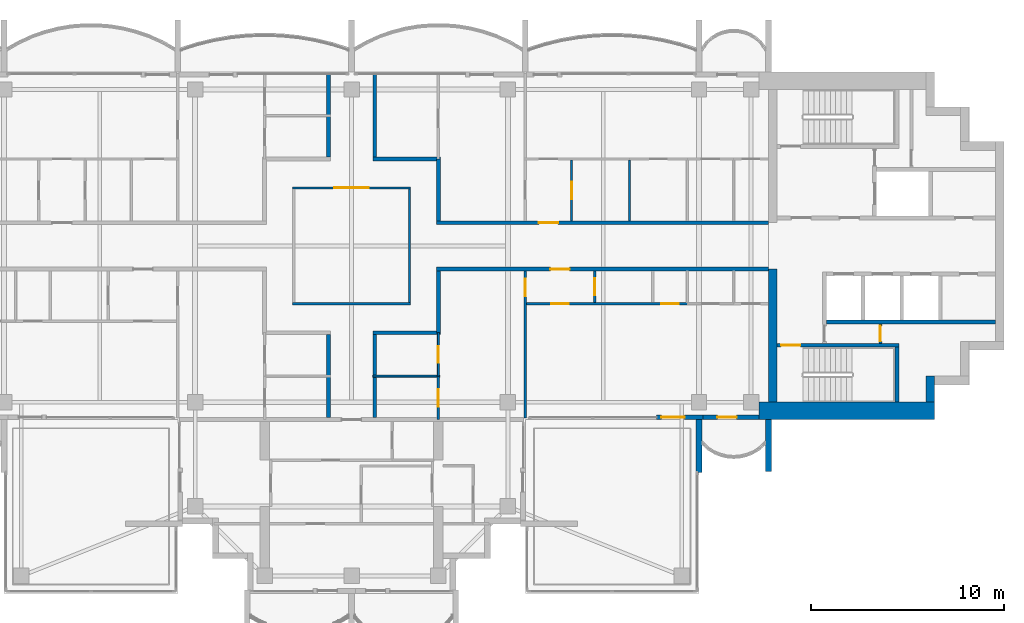
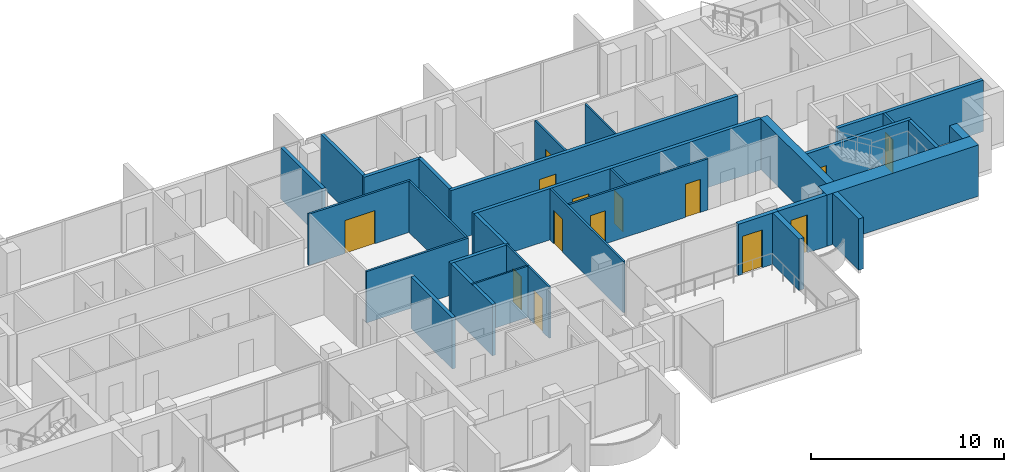
# One storey, part 10 of 16: 32 walls, 14 doors, 14 openings.
"""IFC4 building model written with IfcOpenShell, lengths in metres."""

from ifc_helpers import new_model, si_unit, direction, frame, frame_2d, origin, place, context, subcontext, project, spatial, rectangle, extrude, material, layer, layer_set, type_object, element, fill, save


model = new_model("IFC4")

# Units and contexts
model_context = context("Model", 3, precision=1e-05, world=origin(), true_north=direction((0.0, 1.0)))
body_context = subcontext(model_context, "Body", "Model", "MODEL_VIEW")
ifc_project = project(units=[si_unit("LENGTHUNIT", "METRE"), si_unit("AREAUNIT", "SQUARE_METRE"), si_unit("VOLUMEUNIT", "CUBIC_METRE"), si_unit("PLANEANGLEUNIT", "RADIAN"), si_unit("MASSUNIT", "GRAM", prefix="KILO")], contexts=[model_context])

# Site, building, storey
site_placement = place(None, origin())
site = spatial("IfcSite", under=ifc_project, at=site_placement, CompositionType="ELEMENT")
building_placement = place(site_placement, origin())
building = spatial("IfcBuilding", under=site, at=building_placement, Name="Perihelion Cross Residences", CompositionType="ELEMENT")
storey_placement = place(building_placement, frame((0.0, 0.0, 236.0)))
storey = spatial("IfcBuildingStorey", under=building, at=storey_placement, Name="L59", CompositionType="ELEMENT", Elevation=236.0)

# Wall, opening, door
ifc_material_1 = material(Name="Plasterboard partition")
ifc_layer_1 = layer(ifc_material_1, 0.199951171875)
ifc_layer_set_1 = layer_set([ifc_layer_1], Name="Apartment separation wall 200")
wall_type_1 = type_object("IfcWallType", Name="Apartment separation wall 200", PredefinedType="PARTITIONING", material=ifc_layer_set_1)
wall_1_placement = place(storey_placement, frame((4.39990234375, 1.199951171875, 0.0), z_axis=(0.0, 0.0, 1.0), x_axis=(1.0, 0.0, 0.0)))
wall_1 = element("IfcWall", 1, at=wall_1_placement, inside=storey, type_object=wall_type_1, Name="Partition L59 W005", PredefinedType="PARTITIONING", context=body_context, shape_type="SweptSolid", body=[
    extrude(rectangle(XDim=17.2001953125, YDim=0.199951171875, at=frame_2d((8.60009765625, 0.0))), origin(), (0.0, 0.0, 1.0), 3.25),
])
opening_1_placement = place(wall_1_placement, frame((5.300048828125, 0.0, 0.0)))
opening_1 = element("IfcOpeningElement", 2, at=opening_1_placement, cuts=wall_1, Name="Opening L59.A39", PredefinedType="OPENING", context=body_context, shape_type="SweptSolid", body=[
    extrude(rectangle(XDim=1.0, YDim=2.10009765625, at=frame_2d((0.5, 1.050048828125))), frame((0.0, 0.10986328125, 0.0), z_axis=(0.0, -1.0, 0.0), x_axis=(1.0, 0.0, 0.0)), (0.0, 0.0, 1.0), 0.219970703125),
])
ifc_material_2 = material(Name="Timber door leaf", Category="wood")
door_type_1 = type_object("IfcDoorType", Name="Flat entrance door 1000 x 2100", OperationType="SINGLE_SWING_LEFT", PredefinedType="DOOR", material=ifc_material_2)
door_1_placement = place(opening_1_placement, origin())
door_1 = element("IfcDoor", 3, at=door_1_placement, inside=storey, type_object=door_type_1, Name="Door L59.A39", OperationType="SINGLE_SWING_RIGHT", OverallHeight=2.10009765625, OverallWidth=1.0, PredefinedType="DOOR", context=body_context, shape_type="SweptSolid", body=[
    extrude(rectangle(XDim=1.0, YDim=2.10009765625, at=frame_2d((0.5, 1.050048828125))), frame((0.0, 0.02490234375, 0.0), z_axis=(0.0, -1.0, 0.0), x_axis=(1.0, 0.0, 0.0)), (0.0, 0.0, 1.0), 0.050048828125),
])
fill(opening_1, door_1)

# Walls
wall_2_placement = place(storey_placement, frame((4.5, 4.5, 0.0), z_axis=(0.0, 0.0, 1.0), x_axis=(0.0, -1.0, 0.0)))
element("IfcWall", 4, at=wall_2_placement, inside=storey, type_object=wall_type_1, Name="Partition L59 W006", PredefinedType="PARTITIONING", context=body_context, shape_type="SweptSolid", body=[
    extrude(rectangle(XDim=3.199951171875, YDim=0.199951171875, at=frame_2d((1.60009765625, 0.0))), origin(), (0.0, 0.0, 1.0), 3.25),
])
wall_3_placement = place(storey_placement, frame((1.199951171875, 8.919921875, 0.0), z_axis=(0.0, 0.0, 1.0), x_axis=(0.0, -1.0, 0.0)))
element("IfcWall", 5, at=wall_3_placement, inside=storey, type_object=wall_type_1, Name="Partition L59 W007", PredefinedType="PARTITIONING", context=body_context, shape_type="SweptSolid", body=[
    extrude(rectangle(XDim=4.31982421875, YDim=0.199951171875, at=frame_2d((2.159912109375, 0.0))), origin(), (0.0, 0.0, 1.0), 3.25),
])
wall_4_placement = place(storey_placement, frame((1.10009765625, 4.5, 0.0), z_axis=(0.0, 0.0, 1.0), x_axis=(1.0, 0.0, 0.0)))
element("IfcWall", 6, at=wall_4_placement, inside=storey, type_object=wall_type_1, Name="Partition L59 W008", PredefinedType="PARTITIONING", context=body_context, shape_type="SweptSolid", body=[
    extrude(rectangle(XDim=3.5, YDim=0.199951171875, at=frame_2d((1.75, 0.0))), origin(), (0.0, 0.0, 1.0), 3.25),
])

# Wall, opening, door
wall_5_placement = place(storey_placement, frame((21.60009765625, -1.199951171875, 0.0), z_axis=(0.0, 0.0, 1.0), x_axis=(-1.0, 0.0, 0.0)))
wall_5 = element("IfcWall", 7, at=wall_5_placement, inside=storey, type_object=wall_type_1, Name="Partition L59 W009", PredefinedType="PARTITIONING", context=body_context, shape_type="SweptSolid", body=[
    extrude(rectangle(XDim=17.2001953125, YDim=0.199951171875, at=frame_2d((8.60009765625, 0.0))), origin(), (0.0, 0.0, 1.0), 3.25),
])
opening_2_placement = place(wall_5_placement, frame((10.300048828125, 0.0, 0.0)))
opening_2 = element("IfcOpeningElement", 8, at=opening_2_placement, cuts=wall_5, Name="Opening L59.A40", PredefinedType="OPENING", context=body_context, shape_type="SweptSolid", body=[
    extrude(rectangle(XDim=1.0, YDim=2.10009765625, at=frame_2d((0.5, 1.050048828125))), frame((0.0, 0.10986328125, 0.0), z_axis=(0.0, -1.0, 0.0), x_axis=(1.0, 0.0, 0.0)), (0.0, 0.0, 1.0), 0.219970703125),
])
door_2_placement = place(opening_2_placement, origin())
door_2 = element("IfcDoor", 9, at=door_2_placement, inside=storey, type_object=door_type_1, Name="Door L59.A40", OperationType="SINGLE_SWING_RIGHT", OverallHeight=2.10009765625, OverallWidth=1.0, PredefinedType="DOOR", context=body_context, shape_type="SweptSolid", body=[
    extrude(rectangle(XDim=1.0, YDim=2.10009765625, at=frame_2d((0.5, 1.050048828125))), frame((0.0, 0.02490234375, 0.0), z_axis=(0.0, -1.0, 0.0), x_axis=(1.0, 0.0, 0.0)), (0.0, 0.0, 1.0), 0.050048828125),
])
fill(opening_2, door_2)

# Walls
wall_6_placement = place(storey_placement, frame((4.5, -1.300048828125, 0.0), z_axis=(0.0, 0.0, 1.0), x_axis=(0.0, -1.0, 0.0)))
element("IfcWall", 10, at=wall_6_placement, inside=storey, type_object=wall_type_1, Name="Partition L59 W010", PredefinedType="PARTITIONING", context=body_context, shape_type="SweptSolid", body=[
    extrude(rectangle(XDim=3.199951171875, YDim=0.199951171875, at=frame_2d((1.60009765625, 0.0))), origin(), (0.0, 0.0, 1.0), 3.25),
])
wall_7_placement = place(storey_placement, frame((4.60009765625, -4.5, 0.0), z_axis=(0.0, 0.0, 1.0), x_axis=(-1.0, 0.0, 0.0)))
element("IfcWall", 11, at=wall_7_placement, inside=storey, type_object=wall_type_1, Name="Partition L59 W011", PredefinedType="PARTITIONING", context=body_context, shape_type="SweptSolid", body=[
    extrude(rectangle(XDim=3.5, YDim=0.199951171875, at=frame_2d((1.75, 0.0))), origin(), (0.0, 0.0, 1.0), 3.25),
])
wall_8_placement = place(storey_placement, frame((1.199951171875, -4.60009765625, 0.0), z_axis=(0.0, 0.0, 1.0), x_axis=(0.0, -1.0, 0.0)))
element("IfcWall", 12, at=wall_8_placement, inside=storey, type_object=wall_type_1, Name="Partition L59 W012", PredefinedType="PARTITIONING", context=body_context, shape_type="SweptSolid", body=[
    extrude(rectangle(XDim=4.2998046875, YDim=0.199951171875, at=frame_2d((2.14990234375, 0.0))), origin(), (0.0, 0.0, 1.0), 3.25),
])
wall_9_placement = place(storey_placement, frame((-1.199951171875, 4.60009765625, 0.0), z_axis=(0.0, 0.0, 1.0), x_axis=(0.0, 1.0, 0.0)))
element("IfcWall", 13, at=wall_9_placement, inside=storey, type_object=wall_type_1, Name="Partition L59 W016", PredefinedType="PARTITIONING", context=body_context, shape_type="SweptSolid", body=[
    extrude(rectangle(XDim=4.31982421875, YDim=0.199951171875, at=frame_2d((2.159912109375, 0.0))), origin(), (0.0, 0.0, 1.0), 3.25),
])
wall_10_placement = place(storey_placement, frame((-1.199951171875, -8.89990234375, 0.0), z_axis=(0.0, 0.0, 1.0), x_axis=(0.0, 1.0, 0.0)))
element("IfcWall", 14, at=wall_10_placement, inside=storey, type_object=wall_type_1, Name="Partition L59 W019", PredefinedType="PARTITIONING", context=body_context, shape_type="SweptSolid", body=[
    extrude(rectangle(XDim=4.2998046875, YDim=0.199951171875, at=frame_2d((2.14990234375, 0.0))), origin(), (0.0, 0.0, 1.0), 3.25),
])

# Wall, opening, door
ifc_material_3 = material(Name="Concrete C30/37, bronze-clad", Category="concrete")
ifc_layer_2 = layer(ifc_material_3, 0.25)
ifc_layer_set_2 = layer_set([ifc_layer_2], Name="Bronze-clad pier wall 250")
wall_type_2 = type_object("IfcWallType", Name="Bronze-clad pier wall 250", PredefinedType="SOLIDWALL", material=ifc_layer_set_2)
wall_11_placement = place(storey_placement, frame((15.800048828125, -8.875, 0.0), z_axis=(0.0, 0.0, 1.0), x_axis=(1.0, 0.0, 0.0)))
wall_11 = element("IfcWall", 15, at=wall_11_placement, inside=storey, type_object=wall_type_2, Name="Wall FW1 L59 east side south bay 1 pier", PredefinedType="SOLIDWALL", context=body_context, shape_type="SweptSolid", body=[
    extrude(rectangle(XDim=2.39990234375, YDim=0.25, at=frame_2d((1.199951171875, 0.0))), origin(), (0.0, 0.0, 1.0), 3.25),
])
opening_3_placement = place(wall_11_placement, frame((0.25, 0.0, 0.0)))
opening_3 = element("IfcOpeningElement", 16, at=opening_3_placement, cuts=wall_11, Name="Opening L59.E13", PredefinedType="OPENING", context=body_context, shape_type="SweptSolid", body=[
    extrude(rectangle(XDim=1.199951171875, YDim=2.39990234375, at=frame_2d((0.60009765625, 1.199951171875))), frame((0.0, 0.135009765625, 0.0), z_axis=(0.0, -1.0, 0.0), x_axis=(1.0, 0.0, 0.0)), (0.0, 0.0, 1.0), 0.27001953125),
])
ifc_material_4 = material(Name="Bronze anodised aluminium, glazed", Category="aluminium")
door_type_2 = type_object("IfcDoorType", Name="Balcony door 1200 x 2400", OperationType="NOTDEFINED", PredefinedType="DOOR", material=ifc_material_4)
door_3_placement = place(opening_3_placement, origin())
door_3 = element("IfcDoor", 17, at=door_3_placement, inside=storey, type_object=door_type_2, Name="Door L59.E13 east side south bay 1", OperationType="SINGLE_SWING_LEFT", OverallHeight=2.39990234375, OverallWidth=1.199951171875, PredefinedType="DOOR", context=body_context, shape_type="SweptSolid", body=[
    extrude(rectangle(XDim=1.199951171875, YDim=2.39990234375, at=frame_2d((0.60009765625, 1.199951171875))), frame((0.0, 0.02490234375, 0.0), z_axis=(0.0, -1.0, 0.0), x_axis=(1.0, 0.0, 0.0)), (0.0, 0.0, 1.0), 0.050048828125),
])
fill(opening_3, door_3)

wall_12_placement = place(storey_placement, frame((18.199951171875, -8.875, 0.0), z_axis=(0.0, 0.0, 1.0), x_axis=(1.0, 0.0, 0.0)))
wall_12 = element("IfcWall", 18, at=wall_12_placement, inside=storey, type_object=wall_type_2, Name="Wall FW1 L59 east side south bay 2 pier", PredefinedType="SOLIDWALL", context=body_context, shape_type="SweptSolid", body=[
    extrude(rectangle(XDim=2.900146484375, YDim=0.25, at=frame_2d((1.4501953125, 0.0))), origin(), (0.0, 0.0, 1.0), 3.25),
])
opening_4_placement = place(wall_12_placement, frame((0.75, 0.0, 0.0)))
opening_4 = element("IfcOpeningElement", 19, at=opening_4_placement, cuts=wall_12, Name="Opening L59.E14", PredefinedType="OPENING", context=body_context, shape_type="SweptSolid", body=[
    extrude(rectangle(XDim=1.0, YDim=2.39990234375, at=frame_2d((0.5, 1.199951171875))), frame((0.0, 0.135009765625, 0.0), z_axis=(0.0, -1.0, 0.0), x_axis=(1.0, 0.0, 0.0)), (0.0, 0.0, 1.0), 0.27001953125),
])
ifc_material_5 = material(Name="Bronze anodised aluminium, glazed", Category="aluminium")
door_type_3 = type_object("IfcDoorType", Name="Balcony door 1000 x 2400", OperationType="NOTDEFINED", PredefinedType="DOOR", material=ifc_material_5)
door_4_placement = place(opening_4_placement, origin())
door_4 = element("IfcDoor", 20, at=door_4_placement, inside=storey, type_object=door_type_3, Name="Door L59.E14 east side south bay 2", OperationType="SINGLE_SWING_RIGHT", OverallHeight=2.39990234375, OverallWidth=1.0, PredefinedType="DOOR", context=body_context, shape_type="SweptSolid", body=[
    extrude(rectangle(XDim=1.0, YDim=2.39990234375, at=frame_2d((0.5, 1.199951171875))), frame((0.0, 0.02490234375, 0.0), z_axis=(0.0, -1.0, 0.0), x_axis=(1.0, 0.0, 0.0)), (0.0, 0.0, 1.0), 0.050048828125),
])
fill(opening_4, door_4)

# Walls
ifc_material_6 = material(Name="Concrete C60/75", Category="concrete")
ifc_layer_3 = layer(ifc_material_6, 0.449951171875)
ifc_layer_set_3 = layer_set([ifc_layer_3], Name="Core wall, inner 450")
wall_type_3 = type_object("IfcWallType", Name="Core wall, inner 450", PredefinedType="SHEAR", material=ifc_layer_set_3)
wall_13_placement = place(storey_placement, frame((21.824951171875, -8.10009765625, 0.0), z_axis=(0.0, 0.0, 1.0), x_axis=(0.0, 1.0, 0.0)))
element("IfcWall", 21, at=wall_13_placement, inside=storey, type_object=wall_type_3, Name="East core core wall, inner", PredefinedType="SHEAR", context=body_context, shape_type="SweptSolid", body=[
    extrude(rectangle(XDim=6.900146484375, YDim=0.449951171875, at=frame_2d((3.4501953125, 0.0))), origin(), (0.0, 0.0, 1.0), 3.25),
])
ifc_material_7 = material(Name="Concrete C60/75", Category="concrete")
ifc_layer_4 = layer(ifc_material_7, 0.449951171875)
ifc_layer_set_4 = layer_set([ifc_layer_4], Name="Core wall, outer 450")
wall_type_4 = type_object("IfcWallType", Name="Core wall, outer 450", PredefinedType="SHEAR", material=ifc_layer_set_4)
wall_14_placement = place(storey_placement, frame((29.97509765625, -8.10009765625, 0.0), z_axis=(0.0, 0.0, 1.0), x_axis=(0.0, 1.0, 0.0)))
element("IfcWall", 22, at=wall_14_placement, inside=storey, type_object=wall_type_4, Name="East core core wall, outer", PredefinedType="SHEAR", context=body_context, shape_type="SweptSolid", body=[
    extrude(rectangle(XDim=1.35009765625, YDim=0.449951171875, at=frame_2d((0.675048828125, 0.0))), origin(), (0.0, 0.0, 1.0), 3.25),
])
ifc_material_8 = material(Name="Concrete C60/75", Category="concrete")
ifc_layer_5 = layer(ifc_material_8, 0.89990234375)
ifc_layer_set_5 = layer_set([ifc_layer_5], Name="Core wall, outer 900")
wall_type_5 = type_object("IfcWallType", Name="Core wall, outer 900", PredefinedType="SHEAR", material=ifc_layer_set_5)
wall_15_placement = place(storey_placement, frame((21.10009765625, -8.550048828125, 0.0), z_axis=(0.0, 0.0, 1.0), x_axis=(1.0, 0.0, 0.0)))
element("IfcWall", 23, at=wall_15_placement, inside=storey, type_object=wall_type_5, Name="East core core wall, outer", PredefinedType="SHEAR", context=body_context, shape_type="SweptSolid", body=[
    extrude(rectangle(XDim=9.099853515625, YDim=0.89990234375, at=frame_2d((4.5498046875, 0.0))), origin(), (0.0, 0.0, 1.0), 3.25),
])
ifc_material_9 = material(Name="Plasterboard partition")
ifc_layer_6 = layer(ifc_material_9, 0.1201171875)
ifc_layer_set_6 = layer_set([ifc_layer_6], Name="Partition wall 120")
wall_type_6 = type_object("IfcWallType", Name="Partition wall 120", PredefinedType="PARTITIONING", material=ifc_layer_set_6)
wall_16_placement = place(storey_placement, frame((-3.06005859375, -3.0, 0.0), z_axis=(0.0, 0.0, 1.0), x_axis=(1.0, 0.0, 0.0)))
element("IfcWall", 24, at=wall_16_placement, inside=storey, type_object=wall_type_6, Name="Partition L59 W001", PredefinedType="PARTITIONING", context=body_context, shape_type="SweptSolid", body=[
    extrude(rectangle(XDim=6.1201171875, YDim=0.1201171875, at=frame_2d((3.06005859375, 0.0))), origin(), (0.0, 0.0, 1.0), 3.25),
])
wall_17_placement = place(storey_placement, frame((3.0, -2.93994140625, 0.0), z_axis=(0.0, 0.0, 1.0), x_axis=(0.0, 1.0, 0.0)))
element("IfcWall", 25, at=wall_17_placement, inside=storey, type_object=wall_type_6, Name="Partition L59 W002", PredefinedType="PARTITIONING", context=body_context, shape_type="SweptSolid", body=[
    extrude(rectangle(XDim=5.8798828125, YDim=0.1201171875, at=frame_2d((2.93994140625, 0.0))), origin(), (0.0, 0.0, 1.0), 3.25),
])

# Wall, opening, door
wall_18_placement = place(storey_placement, frame((3.06005859375, 3.0, 0.0), z_axis=(0.0, 0.0, 1.0), x_axis=(-1.0, 0.0, 0.0)))
wall_18 = element("IfcWall", 26, at=wall_18_placement, inside=storey, type_object=wall_type_6, Name="Partition L59 W003", PredefinedType="PARTITIONING", context=body_context, shape_type="SweptSolid", body=[
    extrude(rectangle(XDim=6.1201171875, YDim=0.1201171875, at=frame_2d((3.06005859375, 0.0))), origin(), (0.0, 0.0, 1.0), 3.25),
])
opening_5_placement = place(wall_18_placement, frame((2.159912109375, 0.0, 0.0)))
opening_5 = element("IfcOpeningElement", 27, at=opening_5_placement, cuts=wall_18, Name="Opening L59.A01", PredefinedType="OPENING", context=body_context, shape_type="SweptSolid", body=[
    extrude(rectangle(XDim=1.800048828125, YDim=2.10009765625, at=frame_2d((0.89990234375, 1.050048828125))), frame((0.0, 0.070068359375, 0.0), z_axis=(0.0, -1.0, 0.0), x_axis=(1.0, 0.0, 0.0)), (0.0, 0.0, 1.0), 0.14013671875),
])
ifc_material_10 = material(Name="Glazed timber door leaf", Category="wood")
door_type_4 = type_object("IfcDoorType", Name="Interior double leaf door 1800 x 2100", OperationType="DOUBLE_DOOR_SINGLE_SWING", PredefinedType="DOOR", material=ifc_material_10)
door_5_placement = place(opening_5_placement, origin())
door_5 = element("IfcDoor", 28, at=door_5_placement, inside=storey, type_object=door_type_4, Name="Door L59.A01", OperationType="SINGLE_SWING_LEFT", OverallHeight=2.10009765625, OverallWidth=1.800048828125, PredefinedType="DOOR", context=body_context, shape_type="SweptSolid", body=[
    extrude(rectangle(XDim=1.800048828125, YDim=2.10009765625, at=frame_2d((0.89990234375, 1.050048828125))), frame((0.0, 0.02490234375, 0.0), z_axis=(0.0, -1.0, 0.0), x_axis=(1.0, 0.0, 0.0)), (0.0, 0.0, 1.0), 0.050048828125),
])
fill(opening_5, door_5)

wall_19_placement = place(storey_placement, frame((11.39990234375, 4.43994140625, 0.0), z_axis=(0.0, 0.0, 1.0), x_axis=(0.0, -1.0, 0.0)))
wall_19 = element("IfcWall", 29, at=wall_19_placement, inside=storey, type_object=wall_type_6, Name="Partition L59 W022", PredefinedType="PARTITIONING", context=body_context, shape_type="SweptSolid", body=[
    extrude(rectangle(XDim=3.139892578125, YDim=0.1201171875, at=frame_2d((1.56982421875, 0.0))), origin(), (0.0, 0.0, 1.0), 3.25),
])
opening_6_placement = place(wall_19_placement, frame((1.1201171875, 0.0, 0.0)))
opening_6 = element("IfcOpeningElement", 30, at=opening_6_placement, cuts=wall_19, Name="Opening L59.A04", PredefinedType="OPENING", context=body_context, shape_type="SweptSolid", body=[
    extrude(rectangle(XDim=0.89990234375, YDim=2.10009765625, at=frame_2d((0.449951171875, 1.050048828125))), frame((0.0, 0.070068359375, 0.0), z_axis=(0.0, -1.0, 0.0), x_axis=(1.0, 0.0, 0.0)), (0.0, 0.0, 1.0), 0.14013671875),
])
ifc_material_11 = material(Name="Timber door leaf", Category="wood")
door_type_5 = type_object("IfcDoorType", Name="Interior room door 900 x 2100", OperationType="SINGLE_SWING_LEFT", PredefinedType="DOOR", material=ifc_material_11)
door_6_placement = place(opening_6_placement, origin())
door_6 = element("IfcDoor", 31, at=door_6_placement, inside=storey, type_object=door_type_5, Name="Door L59.A04", OperationType="SINGLE_SWING_LEFT", OverallHeight=2.10009765625, OverallWidth=0.89990234375, PredefinedType="DOOR", context=body_context, shape_type="SweptSolid", body=[
    extrude(rectangle(XDim=0.89990234375, YDim=2.10009765625, at=frame_2d((0.449951171875, 1.050048828125))), frame((0.0, 0.02490234375, 0.0), z_axis=(0.0, -1.0, 0.0), x_axis=(1.0, 0.0, 0.0)), (0.0, 0.0, 1.0), 0.050048828125),
])
fill(opening_6, door_6)

wall_20_placement = place(storey_placement, frame((12.60009765625, -1.300048828125, 0.0), z_axis=(0.0, 0.0, 1.0), x_axis=(0.0, -1.0, 0.0)))
wall_20 = element("IfcWall", 32, at=wall_20_placement, inside=storey, type_object=wall_type_6, Name="Partition L59 W032", PredefinedType="PARTITIONING", context=body_context, shape_type="SweptSolid", body=[
    extrude(rectangle(XDim=1.639892578125, YDim=0.1201171875, at=frame_2d((0.81982421875, 0.0))), origin(), (0.0, 0.0, 1.0), 3.25),
])
opening_7_placement = place(wall_20_placement, frame((0.3701171875, 0.0, 0.0)))
opening_7 = element("IfcOpeningElement", 33, at=opening_7_placement, cuts=wall_20, Name="Opening L59.A13", PredefinedType="OPENING", context=body_context, shape_type="SweptSolid", body=[
    extrude(rectangle(XDim=0.89990234375, YDim=2.10009765625, at=frame_2d((0.449951171875, 1.050048828125))), frame((0.0, 0.070068359375, 0.0), z_axis=(0.0, -1.0, 0.0), x_axis=(1.0, 0.0, 0.0)), (0.0, 0.0, 1.0), 0.14013671875),
])
door_7_placement = place(opening_7_placement, origin())
door_7 = element("IfcDoor", 34, at=door_7_placement, inside=storey, type_object=door_type_5, Name="Door L59.A13", OperationType="SINGLE_SWING_LEFT", OverallHeight=2.10009765625, OverallWidth=0.89990234375, PredefinedType="DOOR", context=body_context, shape_type="SweptSolid", body=[
    extrude(rectangle(XDim=0.89990234375, YDim=2.10009765625, at=frame_2d((0.449951171875, 1.050048828125))), frame((0.0, 0.02490234375, 0.0), z_axis=(0.0, -1.0, 0.0), x_axis=(1.0, 0.0, 0.0)), (0.0, 0.0, 1.0), 0.050048828125),
])
fill(opening_7, door_7)

# Wall, openings, doors
wall_21_placement = place(storey_placement, frame((17.39990234375, -3.0, 0.0), z_axis=(0.0, 0.0, 1.0), x_axis=(-1.0, 0.0, 0.0)))
wall_21 = element("IfcWall", 35, at=wall_21_placement, inside=storey, type_object=wall_type_6, Name="Partition L59 W033", PredefinedType="PARTITIONING", context=body_context, shape_type="SweptSolid", body=[
    extrude(rectangle(XDim=8.4599609375, YDim=0.1201171875, at=frame_2d((4.22998046875, 0.0))), origin(), (0.0, 0.0, 1.0), 3.25),
])
opening_8_placement = place(wall_21_placement, frame((0.449951171875, 0.0, 0.0)))
opening_8 = element("IfcOpeningElement", 36, at=opening_8_placement, cuts=wall_21, Name="Opening L59.A14", PredefinedType="OPENING", context=body_context, shape_type="SweptSolid", body=[
    extrude(rectangle(XDim=0.89990234375, YDim=2.10009765625, at=frame_2d((0.449951171875, 1.050048828125))), frame((0.0, 0.070068359375, 0.0), z_axis=(0.0, -1.0, 0.0), x_axis=(1.0, 0.0, 0.0)), (0.0, 0.0, 1.0), 0.14013671875),
])
opening_9_placement = place(wall_21_placement, frame((6.14990234375, 0.0, 0.0)))
opening_9 = element("IfcOpeningElement", 37, at=opening_9_placement, cuts=wall_21, Name="Opening L59.A16", PredefinedType="OPENING", context=body_context, shape_type="SweptSolid", body=[
    extrude(rectangle(XDim=0.89990234375, YDim=2.10009765625, at=frame_2d((0.449951171875, 1.050048828125))), frame((0.0, 0.070068359375, 0.0), z_axis=(0.0, -1.0, 0.0), x_axis=(1.0, 0.0, 0.0)), (0.0, 0.0, 1.0), 0.14013671875),
])
door_8_placement = place(opening_8_placement, origin())
door_8 = element("IfcDoor", 38, at=door_8_placement, inside=storey, type_object=door_type_5, Name="Door L59.A14", OperationType="SINGLE_SWING_RIGHT", OverallHeight=2.10009765625, OverallWidth=0.89990234375, PredefinedType="DOOR", context=body_context, shape_type="SweptSolid", body=[
    extrude(rectangle(XDim=0.89990234375, YDim=2.10009765625, at=frame_2d((0.449951171875, 1.050048828125))), frame((0.0, 0.02490234375, 0.0), z_axis=(0.0, -1.0, 0.0), x_axis=(1.0, 0.0, 0.0)), (0.0, 0.0, 1.0), 0.050048828125),
])
fill(opening_8, door_8)
door_9_placement = place(opening_9_placement, origin())
door_9 = element("IfcDoor", 39, at=door_9_placement, inside=storey, type_object=door_type_5, Name="Door L59.A16", OperationType="SINGLE_SWING_RIGHT", OverallHeight=2.10009765625, OverallWidth=0.89990234375, PredefinedType="DOOR", context=body_context, shape_type="SweptSolid", body=[
    extrude(rectangle(XDim=0.89990234375, YDim=2.10009765625, at=frame_2d((0.449951171875, 1.050048828125))), frame((0.0, 0.02490234375, 0.0), z_axis=(0.0, -1.0, 0.0), x_axis=(1.0, 0.0, 0.0)), (0.0, 0.0, 1.0), 0.050048828125),
])
fill(opening_9, door_9)

# Wall, opening, door
wall_22_placement = place(storey_placement, frame((9.0, -8.919921875, 0.0), z_axis=(0.0, 0.0, 1.0), x_axis=(0.0, 1.0, 0.0)))
wall_22 = element("IfcWall", 40, at=wall_22_placement, inside=storey, type_object=wall_type_6, Name="Partition L59 W034", PredefinedType="PARTITIONING", context=body_context, shape_type="SweptSolid", body=[
    extrude(rectangle(XDim=7.619873046875, YDim=0.1201171875, at=frame_2d((3.81005859375, 0.0))), origin(), (0.0, 0.0, 1.0), 3.25),
])
opening_10_placement = place(wall_22_placement, frame((6.320068359375, 0.0, 0.0)))
opening_10 = element("IfcOpeningElement", 41, at=opening_10_placement, cuts=wall_22, Name="Opening L59.A12", PredefinedType="OPENING", context=body_context, shape_type="SweptSolid", body=[
    extrude(rectangle(XDim=0.89990234375, YDim=2.10009765625, at=frame_2d((0.449951171875, 1.050048828125))), frame((0.0, 0.070068359375, 0.0), z_axis=(0.0, -1.0, 0.0), x_axis=(1.0, 0.0, 0.0)), (0.0, 0.0, 1.0), 0.14013671875),
])
door_10_placement = place(opening_10_placement, origin())
door_10 = element("IfcDoor", 42, at=door_10_placement, inside=storey, type_object=door_type_5, Name="Door L59.A12", OperationType="SINGLE_SWING_RIGHT", OverallHeight=2.10009765625, OverallWidth=0.89990234375, PredefinedType="DOOR", context=body_context, shape_type="SweptSolid", body=[
    extrude(rectangle(XDim=0.89990234375, YDim=2.10009765625, at=frame_2d((0.449951171875, 1.050048828125))), frame((0.0, 0.02490234375, 0.0), z_axis=(0.0, -1.0, 0.0), x_axis=(1.0, 0.0, 0.0)), (0.0, 0.0, 1.0), 0.050048828125),
])
fill(opening_10, door_10)

wall_23_placement = place(storey_placement, frame((4.5, -9.0, 0.0), z_axis=(0.0, 0.0, 1.0), x_axis=(0.0, 1.0, 0.0)))
wall_23 = element("IfcWall", 43, at=wall_23_placement, inside=storey, type_object=wall_type_6, Name="Partition L59 W041", PredefinedType="PARTITIONING", context=body_context, shape_type="SweptSolid", body=[
    extrude(rectangle(XDim=2.25, YDim=0.1201171875, at=frame_2d((1.125, 0.0))), origin(), (0.0, 0.0, 1.0), 3.25),
])
opening_11_placement = place(wall_23_placement, frame((0.675048828125, 0.0, 0.0)))
opening_11 = element("IfcOpeningElement", 44, at=opening_11_placement, cuts=wall_23, Name="Opening L59.A15", PredefinedType="OPENING", context=body_context, shape_type="SweptSolid", body=[
    extrude(rectangle(XDim=0.89990234375, YDim=2.10009765625, at=frame_2d((0.449951171875, 1.050048828125))), frame((0.0, 0.070068359375, 0.0), z_axis=(0.0, -1.0, 0.0), x_axis=(1.0, 0.0, 0.0)), (0.0, 0.0, 1.0), 0.14013671875),
])
door_11_placement = place(opening_11_placement, origin())
door_11 = element("IfcDoor", 45, at=door_11_placement, inside=storey, type_object=door_type_5, Name="Door L59.A15", OperationType="SINGLE_SWING_RIGHT", OverallHeight=2.10009765625, OverallWidth=0.89990234375, PredefinedType="DOOR", context=body_context, shape_type="SweptSolid", body=[
    extrude(rectangle(XDim=0.89990234375, YDim=2.10009765625, at=frame_2d((0.449951171875, 1.050048828125))), frame((0.0, 0.02490234375, 0.0), z_axis=(0.0, -1.0, 0.0), x_axis=(1.0, 0.0, 0.0)), (0.0, 0.0, 1.0), 0.050048828125),
])
fill(opening_11, door_11)

# Walls
ifc_material_12 = material(Name="Precast concrete C50/60", Category="concrete")
ifc_layer_7 = layer(ifc_material_12, 0.300048828125)
ifc_layer_set_7 = layer_set([ifc_layer_7], Name="Precast concrete C50/60 blade wall 300")
wall_type_7 = type_object("IfcWallType", Name="Precast concrete C50/60 blade wall 300", PredefinedType="SOLIDWALL", material=ifc_layer_set_7)
wall_24_placement = place(storey_placement, frame((18.0, -9.0, 0.0), z_axis=(0.0, 0.0, 1.0), x_axis=(0.0, -1.0, 0.0)))
element("IfcWall", 46, at=wall_24_placement, inside=storey, type_object=wall_type_7, Name="Wall BL1 L59 no. 10", PredefinedType="SOLIDWALL", context=body_context, shape_type="SweptSolid", body=[
    extrude(rectangle(XDim=2.739990234375, YDim=0.300048828125, at=frame_2d((1.3701171875, 0.0))), origin(), (0.0, 0.0, 1.0), 3.25),
])
wall_25_placement = place(storey_placement, frame((21.60009765625, -9.0, 0.0), z_axis=(0.0, 0.0, 1.0), x_axis=(0.0, -1.0, 0.0)))
element("IfcWall", 47, at=wall_25_placement, inside=storey, type_object=wall_type_7, Name="Wall BL1 L59 no. 12", PredefinedType="SOLIDWALL", context=body_context, shape_type="SweptSolid", body=[
    extrude(rectangle(XDim=2.699951171875, YDim=0.300048828125, at=frame_2d((1.35009765625, 0.0))), origin(), (0.0, 0.0, 1.0), 3.25),
])

# Wall, opening, door
ifc_material_13 = material(Name="Fire-rated board on steel stud", Category="steel")
ifc_layer_8 = layer(ifc_material_13, 0.14990234375)
ifc_layer_set_8 = layer_set([ifc_layer_8], Name="Riser wall 150")
wall_type_8 = type_object("IfcWallType", Name="Riser wall 150", PredefinedType="PARTITIONING", material=ifc_layer_set_8)
wall_26_placement = place(storey_placement, frame((27.39990234375, -5.050048828125, 0.0), z_axis=(0.0, 0.0, 1.0), x_axis=(0.0, 1.0, 0.0)))
wall_26 = element("IfcWall", 48, at=wall_26_placement, inside=storey, type_object=wall_type_8, Name="East core riser wall", PredefinedType="PARTITIONING", context=body_context, shape_type="SweptSolid", body=[
    extrude(rectangle(XDim=1.0, YDim=0.14990234375, at=frame_2d((0.5, 0.0))), origin(), (0.0, 0.0, 1.0), 3.25),
])
opening_12_placement = place(wall_26_placement, frame((0.10009765625, 0.0, 0.0)))
opening_12 = element("IfcOpeningElement", 49, at=opening_12_placement, cuts=wall_26, Name="Opening L59.C11", PredefinedType="OPENING", context=body_context, shape_type="SweptSolid", body=[
    extrude(rectangle(XDim=0.800048828125, YDim=2.10009765625, at=frame_2d((0.39990234375, 1.050048828125))), frame((0.0, 0.0849609375, 0.0), z_axis=(0.0, -1.0, 0.0), x_axis=(1.0, 0.0, 0.0)), (0.0, 0.0, 1.0), 0.169921875),
])
ifc_material_14 = material(Name="Steel, powder coated", Category="steel")
door_type_6 = type_object("IfcDoorType", Name="Riser door 800", OperationType="SINGLE_SWING_LEFT", PredefinedType="DOOR", material=ifc_material_14)
door_12_placement = place(opening_12_placement, origin())
door_12 = element("IfcDoor", 50, at=door_12_placement, inside=storey, type_object=door_type_6, Name="East core riser door", OperationType="SINGLE_SWING_LEFT", OverallHeight=2.10009765625, OverallWidth=0.800048828125, PredefinedType="DOOR", context=body_context, shape_type="SweptSolid", body=[
    extrude(rectangle(XDim=0.800048828125, YDim=2.10009765625, at=frame_2d((0.39990234375, 1.050048828125))), frame((0.0, 0.02490234375, 0.0), z_axis=(0.0, -1.0, 0.0), x_axis=(1.0, 0.0, 0.0)), (0.0, 0.0, 1.0), 0.050048828125),
])
fill(opening_12, door_12)

# Wall
ifc_material_15 = material(Name="Concrete C50/60", Category="concrete")
ifc_layer_9 = layer(ifc_material_15, 0.199951171875)
ifc_layer_set_9 = layer_set([ifc_layer_9], Name="Shaft wall 200")
wall_type_9 = type_object("IfcWallType", Name="Shaft wall 200", PredefinedType="SOLIDWALL", material=ifc_layer_set_9)
wall_27_placement = place(storey_placement, frame((24.60009765625, -3.949951171875, 0.0), z_axis=(0.0, 0.0, 1.0), x_axis=(1.0, 0.0, 0.0)))
element("IfcWall", 51, at=wall_27_placement, inside=storey, type_object=wall_type_9, Name="East core shaft wall", PredefinedType="SOLIDWALL", context=body_context, shape_type="SweptSolid", body=[
    extrude(rectangle(XDim=8.75, YDim=0.199951171875, at=frame_2d((4.375, 0.0))), origin(), (0.0, 0.0, 1.0), 3.25),
])

# Wall, opening, door
ifc_material_16 = material(Name="Concrete C50/60", Category="concrete")
ifc_layer_10 = layer(ifc_material_16, 0.199951171875)
ifc_layer_set_10 = layer_set([ifc_layer_10], Name="Stair wall 200")
wall_type_10 = type_object("IfcWallType", Name="Stair wall 200", PredefinedType="SOLIDWALL", material=ifc_layer_set_10)
wall_28_placement = place(storey_placement, frame((22.050048828125, -5.14990234375, 0.0), z_axis=(0.0, 0.0, 1.0), x_axis=(1.0, 0.0, 0.0)))
wall_28 = element("IfcWall", 52, at=wall_28_placement, inside=storey, type_object=wall_type_10, Name="East core stair wall", PredefinedType="SOLIDWALL", context=body_context, shape_type="SweptSolid", body=[
    extrude(rectangle(XDim=6.300048828125, YDim=0.199951171875, at=frame_2d((3.14990234375, 0.0))), origin(), (0.0, 0.0, 1.0), 3.25),
])
opening_13_placement = place(wall_28_placement, frame((0.199951171875, 0.0, 0.0)))
opening_13 = element("IfcOpeningElement", 53, at=opening_13_placement, cuts=wall_28, Name="Opening L59.C05", PredefinedType="OPENING", context=body_context, shape_type="SweptSolid", body=[
    extrude(rectangle(XDim=1.0, YDim=2.10009765625, at=frame_2d((0.5, 1.050048828125))), frame((0.0, 0.10986328125, 0.0), z_axis=(0.0, -1.0, 0.0), x_axis=(1.0, 0.0, 0.0)), (0.0, 0.0, 1.0), 0.219970703125),
])
ifc_material_17 = material(Name="Steel, powder coated", Category="steel")
door_type_7 = type_object("IfcDoorType", Name="Stair door 1000", OperationType="SINGLE_SWING_LEFT", PredefinedType="DOOR", material=ifc_material_17)
door_13_placement = place(opening_13_placement, origin())
door_13 = element("IfcDoor", 54, at=door_13_placement, inside=storey, type_object=door_type_7, Name="East core stair door", OperationType="SINGLE_SWING_LEFT", OverallHeight=2.10009765625, OverallWidth=1.0, PredefinedType="DOOR", context=body_context, shape_type="SweptSolid", body=[
    extrude(rectangle(XDim=1.0, YDim=2.10009765625, at=frame_2d((0.5, 1.050048828125))), frame((0.0, 0.02490234375, 0.0), z_axis=(0.0, -1.0, 0.0), x_axis=(1.0, 0.0, 0.0)), (0.0, 0.0, 1.0), 0.050048828125),
])
fill(opening_13, door_13)

# Walls
wall_29_placement = place(storey_placement, frame((28.25, -8.10009765625, 0.0), z_axis=(0.0, 0.0, 1.0), x_axis=(0.0, 1.0, 0.0)))
element("IfcWall", 55, at=wall_29_placement, inside=storey, type_object=wall_type_10, Name="East core stair wall", PredefinedType="SOLIDWALL", context=body_context, shape_type="SweptSolid", body=[
    extrude(rectangle(XDim=2.85009765625, YDim=0.199951171875, at=frame_2d((1.425048828125, 0.0))), origin(), (0.0, 0.0, 1.0), 3.25),
])
ifc_material_18 = material(Name="Plasterboard partition")
ifc_layer_11 = layer(ifc_material_18, 0.10009765625)
ifc_layer_set_11 = layer_set([ifc_layer_11], Name="Wet room wall 100")
wall_type_11 = type_object("IfcWallType", Name="Wet room wall 100", PredefinedType="PARTITIONING", material=ifc_layer_set_11)
wall_30_placement = place(storey_placement, frame((14.39990234375, 4.43994140625, 0.0), z_axis=(0.0, 0.0, 1.0), x_axis=(0.0, -1.0, 0.0)))
element("IfcWall", 56, at=wall_30_placement, inside=storey, type_object=wall_type_11, Name="Partition L59 W025", PredefinedType="PARTITIONING", context=body_context, shape_type="SweptSolid", body=[
    extrude(rectangle(XDim=3.139892578125, YDim=0.10009765625, at=frame_2d((1.56982421875, 0.0))), origin(), (0.0, 0.0, 1.0), 3.25),
])

# Wall, opening, door
wall_31_placement = place(storey_placement, frame((4.5, -6.75, 0.0), z_axis=(0.0, 0.0, 1.0), x_axis=(0.0, 1.0, 0.0)))
wall_31 = element("IfcWall", 57, at=wall_31_placement, inside=storey, type_object=wall_type_11, Name="Partition L59 W040", PredefinedType="PARTITIONING", context=body_context, shape_type="SweptSolid", body=[
    extrude(rectangle(XDim=2.25, YDim=0.10009765625, at=frame_2d((1.125, 0.0))), origin(), (0.0, 0.0, 1.0), 3.25),
])
opening_14_placement = place(wall_31_placement, frame((0.699951171875, 0.0, 0.0)))
opening_14 = element("IfcOpeningElement", 58, at=opening_14_placement, cuts=wall_31, Name="Opening L59.A11", PredefinedType="OPENING", context=body_context, shape_type="SweptSolid", body=[
    extrude(rectangle(XDim=0.85009765625, YDim=2.10009765625, at=frame_2d((0.425048828125, 1.050048828125))), frame((0.0, 0.06005859375, 0.0), z_axis=(0.0, -1.0, 0.0), x_axis=(1.0, 0.0, 0.0)), (0.0, 0.0, 1.0), 0.1201171875),
])
ifc_material_19 = material(Name="Timber door leaf", Category="wood")
door_type_8 = type_object("IfcDoorType", Name="Interior bathroom door 850 x 2100", OperationType="SINGLE_SWING_LEFT", PredefinedType="DOOR", material=ifc_material_19)
door_14_placement = place(opening_14_placement, origin())
door_14 = element("IfcDoor", 59, at=door_14_placement, inside=storey, type_object=door_type_8, Name="Door L59.A11", OperationType="SINGLE_SWING_LEFT", OverallHeight=2.10009765625, OverallWidth=0.85009765625, PredefinedType="DOOR", context=body_context, shape_type="SweptSolid", body=[
    extrude(rectangle(XDim=0.85009765625, YDim=2.10009765625, at=frame_2d((0.425048828125, 1.050048828125))), frame((0.0, 0.02490234375, 0.0), z_axis=(0.0, -1.0, 0.0), x_axis=(1.0, 0.0, 0.0)), (0.0, 0.0, 1.0), 0.050048828125),
])
fill(opening_14, door_14)

# Wall
wall_32_placement = place(storey_placement, frame((4.56005859375, -6.75, 0.0), z_axis=(0.0, 0.0, 1.0), x_axis=(-1.0, 0.0, 0.0)))
element("IfcWall", 60, at=wall_32_placement, inside=storey, type_object=wall_type_11, Name="Partition L59 W042", PredefinedType="PARTITIONING", context=body_context, shape_type="SweptSolid", body=[
    extrude(rectangle(XDim=3.4599609375, YDim=0.10009765625, at=frame_2d((1.72998046875, 0.0))), origin(), (0.0, 0.0, 1.0), 3.25),
])

save(model, "model.ifc")
